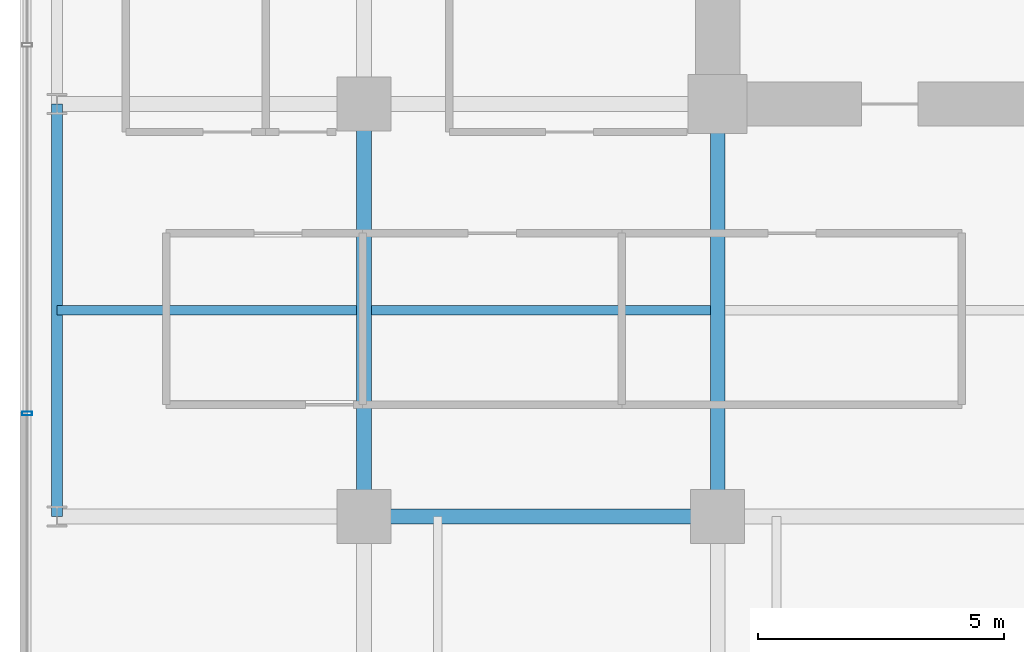
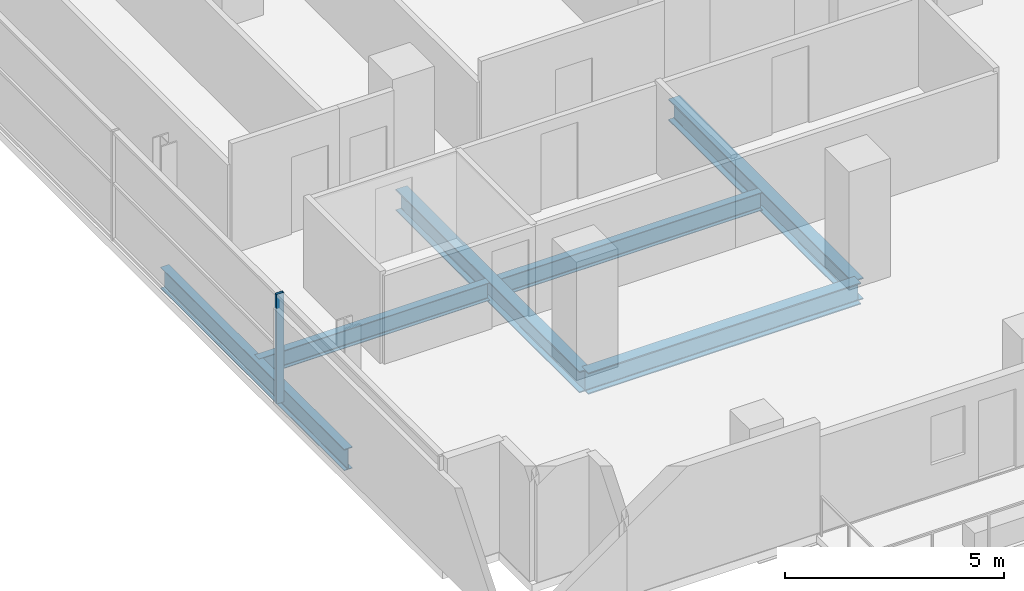
# One storey, part 4 of 26: 6 beams, 1 member, 1 element without a shape of its own.
"""IFC4 building model written with IfcOpenShell, lengths in metres."""

from ifc_helpers import new_model, si_unit, direction, frame, origin, origin_2d, place, context, subcontext, project, spatial, hollow_rectangle, i_section, extrude, source, transform, mapped, material, layer, layer_set, material_profile, profile_set, type_object, element, aggregate, save


model = new_model("IFC4")

# Units and contexts
model_context = context("Model", 3, precision=1e-05, world=origin(), true_north=direction((0.0, 1.0)))
body_context = subcontext(model_context, "Body", "Model", "MODEL_VIEW")
ifc_project = project(units=[si_unit("LENGTHUNIT", "METRE"), si_unit("AREAUNIT", "SQUARE_METRE"), si_unit("VOLUMEUNIT", "CUBIC_METRE"), si_unit("PLANEANGLEUNIT", "RADIAN"), si_unit("MASSUNIT", "GRAM", prefix="KILO")], contexts=[model_context])

# Site, building, storey
site_placement = place(None, origin())
site = spatial("IfcSite", under=ifc_project, at=site_placement, CompositionType="ELEMENT")
building_placement = place(site_placement, origin())
building = spatial("IfcBuilding", under=site, at=building_placement, Name="Zarnakvel Exchange Tower", CompositionType="ELEMENT")
storey_placement = place(building_placement, frame((0.0, 0.0, 70.300048828125)))
storey = spatial("IfcBuildingStorey", under=building, at=storey_placement, Name="L19", CompositionType="ELEMENT", Elevation=70.300048828125)

# Beams
ifc_material_1 = material(Name="Steel S355", Category="steel")
ifc_material_profile_1 = material_profile(ifc_material_1, i_section(OverallWidth=0.199951171875, OverallDepth=0.5, WebThickness=0.01025390625, FlangeThickness=0.01611328125, FilletRadius=0.02099609375, at=origin_2d()))
ifc_profile_set_1 = profile_set([ifc_material_profile_1], Name="Steel S355")
beam_type_1 = type_object("IfcBeamType", Name="B-04", PredefinedType="JOIST", material=ifc_profile_set_1)
beam_1_placement = place(storey_placement, frame((-27.85009765625, -5.39990234375, -0.47509765625), z_axis=(1.0, 0.0, 0.0), x_axis=(0.0, 1.0, 0.0)))
element("IfcBeam", 1, at=beam_1_placement, inside=storey, type_object=beam_type_1, Name="L19 Composite Floor Secondary Joist", PredefinedType="JOIST", context=body_context, shape_type="SweptSolid", body=[
    extrude(i_section(OverallWidth=0.199951171875, OverallDepth=0.5, WebThickness=0.01025390625, FlangeThickness=0.01611328125, FilletRadius=0.02099609375, at=origin_2d()), origin(), (0.0, 0.0, 1.0), 6.10009765625),
])
beam_2_placement = place(storey_placement, frame((-21.449951171875, -5.39990234375, -0.47509765625), z_axis=(1.0, 0.0, 0.0), x_axis=(0.0, 1.0, 0.0)))
element("IfcBeam", 2, at=beam_2_placement, inside=storey, type_object=beam_type_1, Name="L19 Composite Floor Secondary Joist", PredefinedType="JOIST", context=body_context, shape_type="SweptSolid", body=[
    extrude(i_section(OverallWidth=0.199951171875, OverallDepth=0.5, WebThickness=0.01025390625, FlangeThickness=0.01611328125, FilletRadius=0.02099609375, at=origin_2d()), origin(), (0.0, 0.0, 1.0), 6.89990234375),
])
ifc_material_profile_2 = material_profile(ifc_material_1, i_section(OverallWidth=0.300048828125, OverallDepth=0.60009765625, WebThickness=0.015380859375, FlangeThickness=0.030029296875, FilletRadius=0.027099609375, at=origin_2d()))
ifc_profile_set_2 = profile_set([ifc_material_profile_2], Name="Steel S355")
beam_type_2 = type_object("IfcBeamType", Name="G-04", PredefinedType="BEAM", material=ifc_profile_set_2)
beam_3_placement = place(storey_placement, frame((-21.60009765625, -9.60009765625, -0.525146484375), z_axis=(1.0, 0.0, 0.0), x_axis=(0.0, 1.0, 0.0)))
element("IfcBeam", 3, at=beam_3_placement, inside=storey, type_object=beam_type_2, Name="L19 Tower E-W Frame Beam", PredefinedType="BEAM", context=body_context, shape_type="SweptSolid", body=[
    extrude(i_section(OverallWidth=0.300048828125, OverallDepth=0.60009765625, WebThickness=0.015380859375, FlangeThickness=0.030029296875, FilletRadius=0.027099609375, at=origin_2d()), origin(), (0.0, 0.0, 1.0), 7.2001953125),
])
for number, where, z_axis, x_axis, name in (
    (4, (-21.60009765625, -9.60009765625, -0.525146484375), (0.0, 1.0, 0.0), (-1.0, 0.0, 0.0), "L19 Tower N-S Frame Beam"),
    (5, (-14.39990234375, -9.60009765625, -0.525146484375), (0.0, 1.0, 0.0), (-1.0, 0.0, 0.0), "L19 Tower N-S Frame Beam"),
):
    element("IfcBeam", number, at=place(storey_placement, frame(where, z_axis=z_axis, x_axis=x_axis)), inside=storey, type_object=beam_type_2, Name=name, PredefinedType="BEAM", context=body_context, shape_type="SweptSolid", body=[
        extrude(i_section(OverallWidth=0.300048828125, OverallDepth=0.60009765625, WebThickness=0.015380859375, FlangeThickness=0.030029296875, FilletRadius=0.027099609375, at=origin_2d()), origin(), (0.0, 0.0, 1.0), 8.400146484375),
    ])
ifc_material_profile_3 = material_profile(ifc_material_1, i_section(OverallWidth=0.219970703125, OverallDepth=0.60009765625, WebThickness=0.011962890625, FlangeThickness=0.01904296875, FilletRadius=0.02392578125, at=origin_2d()))
ifc_profile_set_3 = profile_set([ifc_material_profile_3], Name="Steel S355")
beam_type_3 = type_object("IfcBeamType", Name="SP-01", PredefinedType="SPANDREL", material=ifc_profile_set_3)
beam_4_placement = place(storey_placement, frame((-27.85009765625, -9.60009765625, -0.525146484375), z_axis=(0.0, 1.0, 0.0), x_axis=(-1.0, 0.0, 0.0)))
element("IfcBeam", 6, at=beam_4_placement, inside=storey, type_object=beam_type_3, Name="L19 Tower N-S Frame Beam", PredefinedType="SPANDREL", context=body_context, shape_type="SweptSolid", body=[
    extrude(i_section(OverallWidth=0.219970703125, OverallDepth=0.60009765625, WebThickness=0.011962890625, FlangeThickness=0.01904296875, FilletRadius=0.02392578125, at=origin_2d()), origin(), (0.0, 0.0, 1.0), 8.400146484375),
])

# Curtain wall, member
ifc_material_2 = material(Name="Architectural Bronze Anodised Aluminium", Category="aluminium")
ifc_layer = layer(ifc_material_2, 0.199951171875)
ifc_layer_set = layer_set([ifc_layer], Name="Architectural Bronze Anodised Aluminium")
curtain_wall_type = type_object("IfcCurtainWallType", Name="CW-04", PredefinedType="NOTDEFINED", material=ifc_layer_set)
curtain_wall_placement = place(storey_placement, origin())
curtain_wall = element("IfcCurtainWall", 7, at=curtain_wall_placement, inside=storey, type_object=curtain_wall_type, Name="L19 Curtain Wall CW-L19-W1 (CW-04)", PredefinedType="NOTDEFINED")
ifc_material_profile_4 = material_profile(ifc_material_2, hollow_rectangle(XDim=0.199951171875, YDim=0.074951171875, WallThickness=0.0048828125, at=origin_2d()))
ifc_profile_set_4 = profile_set([ifc_material_profile_4], Name="Architectural Bronze Anodised Aluminium")
member_type = type_object("IfcMemberType", Name="CWM-04", PredefinedType="MULLION", material=ifc_profile_set_4)
shared_shape = source(origin(), body_context, "Body", "SweptSolid", [
    extrude(hollow_rectangle(XDim=0.199951171875, YDim=0.074951171875, WallThickness=0.0048828125, at=origin_2d()), origin(), (0.0, 0.0, 1.0), 3.054931640625),
])
member_placement = place(storey_placement, frame((-28.4599609375, -7.5, 0.0), z_axis=(0.0, 0.0, 1.0), x_axis=(-1.0, 0.0, 0.0)))
member = element("IfcMember", 8, at=member_placement, type_object=member_type, Name="CW-04 mullion 2", PredefinedType="MULLION", context=body_context, shape_type="MappedRepresentation", body=[
    mapped(shared_shape, transform((0.0, 0.0, 0.0), x_axis=(1.0, 0.0, 0.0), y_axis=(0.0, 1.0, 0.0), z_axis=(0.0, 0.0, 1.0), scale=1.0)),
])
aggregate(curtain_wall, [member])

save(model, "model.ifc")
